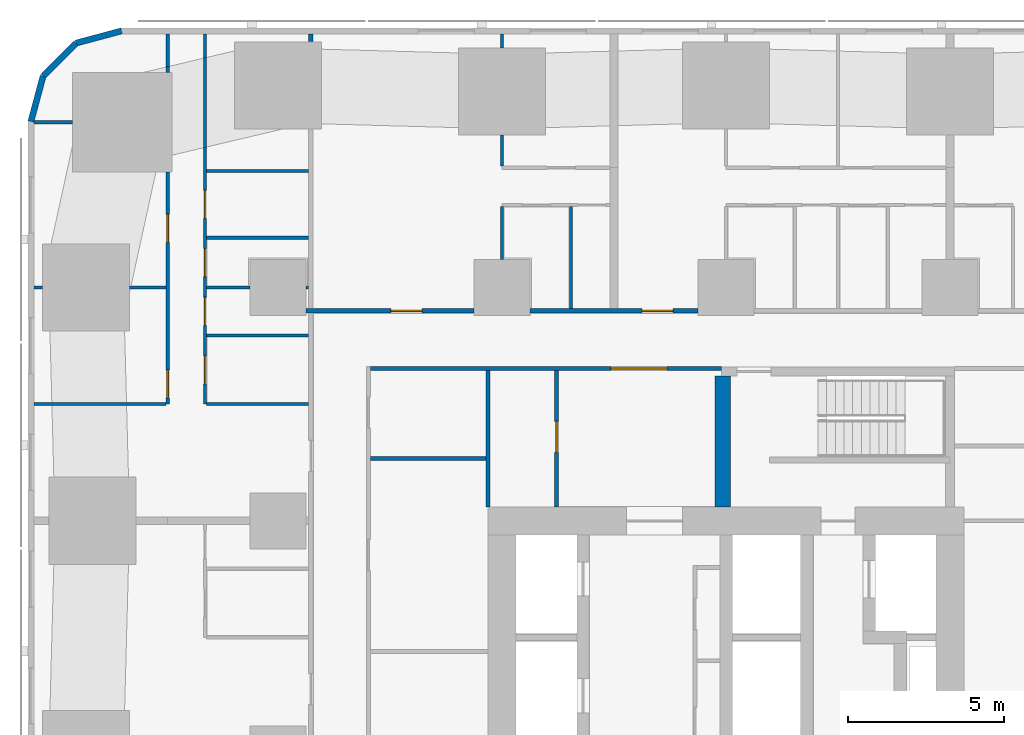
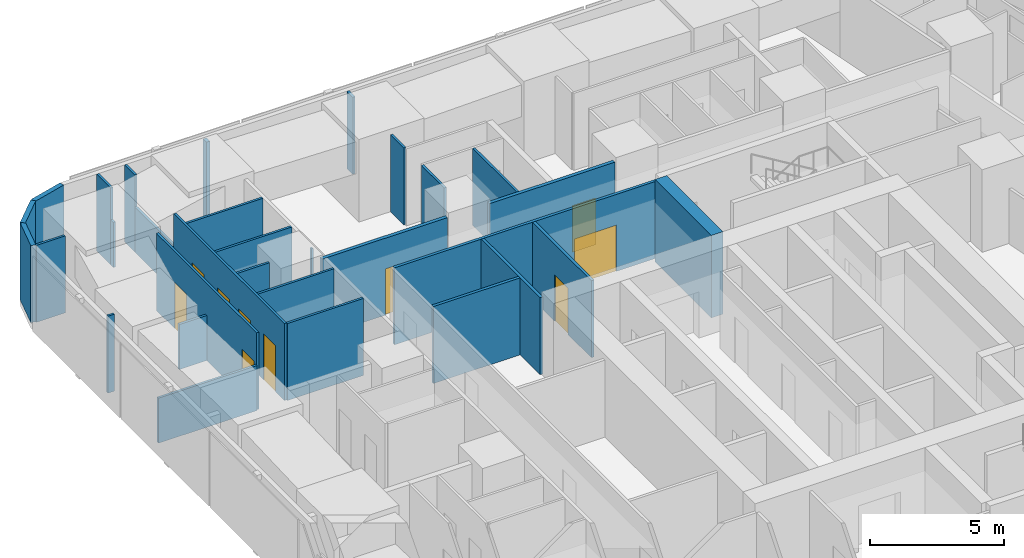
# One storey, part 9 of 16: 31 walls, 10 doors, 10 openings.
"""IFC4 building model written with IfcOpenShell, lengths in metres."""

from ifc_helpers import new_model, si_unit, direction, frame, frame_2d, origin, place, context, subcontext, project, spatial, rectangle, extrude, material, layer, layer_set, type_object, element, fill, save


model = new_model("IFC4")

# Units and contexts
model_context = context("Model", 3, precision=1e-05, world=origin(), true_north=direction((0.0, 1.0)))
body_context = subcontext(model_context, "Body", "Model", "MODEL_VIEW")
ifc_project = project(units=[si_unit("LENGTHUNIT", "METRE"), si_unit("AREAUNIT", "SQUARE_METRE"), si_unit("VOLUMEUNIT", "CUBIC_METRE"), si_unit("PLANEANGLEUNIT", "RADIAN"), si_unit("MASSUNIT", "GRAM", prefix="KILO")], contexts=[model_context])

# Site, building, storey
site_placement = place(None, origin())
site = spatial("IfcSite", under=ifc_project, at=site_placement, CompositionType="ELEMENT")
building_placement = place(site_placement, origin())
building = spatial("IfcBuilding", under=site, at=building_placement, Name="Sheger Commons Tower", CompositionType="ELEMENT")
storey_placement = place(building_placement, frame((0.0, 0.0, 57.5)))
storey = spatial("IfcBuildingStorey", under=building, at=storey_placement, Name="L14", CompositionType="ELEMENT", Elevation=57.5)

# Wall
ifc_material_1 = material(Name="Hollow concrete block masonry, skimmed both sides", Category="masonry")
ifc_layer_1 = layer(ifc_material_1, 0.14990234375)
ifc_layer_set_1 = layer_set([ifc_layer_1], Name="CORRIDOR WALL 150")
wall_type_1 = type_object("IfcWallType", Name="CORRIDOR WALL 150", PredefinedType="SOLIDWALL", material=ifc_layer_set_1)
wall_1_placement = place(storey_placement, frame((8.25, 45.40087890625, 0.0), z_axis=(0.0, 0.0, 1.0), x_axis=(0.0, 1.0, 0.0)))
element("IfcWall", 1, at=wall_1_placement, inside=storey, type_object=wall_type_1, Name="Corridor wall L14", PredefinedType="SOLIDWALL", context=body_context, shape_type="SweptSolid", body=[
    extrude(rectangle(XDim=0.2490234375, YDim=0.14990234375, at=frame_2d((0.12451171875, 0.0))), origin(), (0.0, 0.0, 1.0), 3.5),
])

# Wall, opening, door
wall_2_placement = place(storey_placement, frame((8.10009765625, 36.75, 0.0), z_axis=(0.0, 0.0, 1.0), x_axis=(1.0, 0.0, 0.0)))
wall_2 = element("IfcWall", 2, at=wall_2_placement, inside=storey, type_object=wall_type_1, Name="Corridor wall L14", PredefinedType="SOLIDWALL", context=body_context, shape_type="SweptSolid", body=[
    extrude(rectangle(XDim=5.39892578125, YDim=0.14990234375, at=frame_2d((2.699462890625, 0.0))), origin(), (0.0, 0.0, 1.0), 3.5),
])
opening_1_placement = place(wall_2_placement, frame((2.72509765625, 0.0, 0.0)))
opening_1 = element("IfcOpeningElement", 3, at=opening_1_placement, cuts=wall_2, Name="Opening D1", PredefinedType="OPENING", context=body_context, shape_type="SweptSolid", body=[
    extrude(rectangle(XDim=1.0, YDim=2.10009765625, at=frame_2d((0.5, 1.050048828125))), frame((0.0, 0.0849609375, 0.0), z_axis=(0.0, -1.0, 0.0), x_axis=(1.0, 0.0, 0.0)), (0.0, 0.0, 1.0), 0.169921875),
])
ifc_material_2 = material(Name="Steel door set, fire rated", Category="steel")
door_type_1 = type_object("IfcDoorType", Name="FLAT ENTRANCE DOOR 1000x2100", OperationType="NOTDEFINED", PredefinedType="DOOR", material=ifc_material_2)
door_1_placement = place(opening_1_placement, origin())
door_1 = element("IfcDoor", 4, at=door_1_placement, inside=storey, type_object=door_type_1, Name="Flat entrance door", OperationType="SINGLE_SWING_LEFT", OverallHeight=2.10009765625, OverallWidth=1.0, PredefinedType="DOOR", context=body_context, shape_type="SweptSolid", body=[
    extrude(rectangle(XDim=1.0, YDim=2.10009765625, at=frame_2d((0.5, 1.050048828125))), frame((0.0, 0.02490234375, 0.0), z_axis=(0.0, -1.0, 0.0), x_axis=(1.0, 0.0, 0.0)), (0.0, 0.0, 1.0), 0.050048828125),
])
fill(opening_1, door_1)

wall_3_placement = place(storey_placement, frame((15.301025390625, 36.75, 0.0), z_axis=(0.0, 0.0, 1.0), x_axis=(1.0, 0.0, 0.0)))
wall_3 = element("IfcWall", 5, at=wall_3_placement, inside=storey, type_object=wall_type_1, Name="Corridor wall L14", PredefinedType="SOLIDWALL", context=body_context, shape_type="SweptSolid", body=[
    extrude(rectangle(XDim=5.39794921875, YDim=0.14990234375, at=frame_2d((2.698974609375, 0.0))), origin(), (0.0, 0.0, 1.0), 3.5),
])
opening_2_placement = place(wall_3_placement, frame((3.59912109375, 0.0, 0.0)))
opening_2 = element("IfcOpeningElement", 6, at=opening_2_placement, cuts=wall_3, Name="Opening D1", PredefinedType="OPENING", context=body_context, shape_type="SweptSolid", body=[
    extrude(rectangle(XDim=1.0, YDim=2.10009765625, at=frame_2d((0.5, 1.050048828125))), frame((0.0, 0.0849609375, 0.0), z_axis=(0.0, -1.0, 0.0), x_axis=(1.0, 0.0, 0.0)), (0.0, 0.0, 1.0), 0.169921875),
])
door_2_placement = place(opening_2_placement, origin())
door_2 = element("IfcDoor", 7, at=door_2_placement, inside=storey, type_object=door_type_1, Name="Flat entrance door", OperationType="SINGLE_SWING_RIGHT", OverallHeight=2.10009765625, OverallWidth=1.0, PredefinedType="DOOR", context=body_context, shape_type="SweptSolid", body=[
    extrude(rectangle(XDim=1.0, YDim=2.10009765625, at=frame_2d((0.5, 1.050048828125))), frame((0.0, 0.02490234375, 0.0), z_axis=(0.0, -1.0, 0.0), x_axis=(1.0, 0.0, 0.0)), (0.0, 0.0, 1.0), 0.050048828125),
])
fill(opening_2, door_2)

# Walls
ifc_material_3 = material(Name="Rendered concrete block masonry, dark grey", Category="masonry")
ifc_layer_2 = layer(ifc_material_3, 0.199951171875)
ifc_layer_set_2 = layer_set([ifc_layer_2], Name="FACADE WALL 200")
wall_type_2 = type_object("IfcWallType", Name="FACADE WALL 200", PredefinedType="SOLIDWALL", material=ifc_layer_set_2)
wall_4_placement = place(storey_placement, frame((2.1630859375, 45.75, 0.0), z_axis=(0.0, 0.0, 1.0), x_axis=(-0.965832000415, -0.259168954497, 0.0)))
element("IfcWall", 8, at=wall_4_placement, inside=storey, type_object=wall_type_2, Name="Facade wall L14", PredefinedType="SOLIDWALL", context=body_context, shape_type="SweptSolid", body=[
    extrude(rectangle(XDim=1.512939453125, YDim=0.199951171875, at=frame_2d((0.75634765625, 0.0))), origin(), (0.0, 0.0, 1.0), 3.5),
])
wall_5_placement = place(storey_placement, frame((0.701904296875, 45.35791015625, 0.0), z_axis=(0.0, 0.0, 1.0), x_axis=(-0.707106781187, -0.707106781187, 0.0)))
element("IfcWall", 9, at=wall_5_placement, inside=storey, type_object=wall_type_2, Name="Facade wall L14", PredefinedType="SOLIDWALL", context=body_context, shape_type="SweptSolid", body=[
    extrude(rectangle(XDim=1.498779296875, YDim=0.199951171875, at=frame_2d((0.74951171875, 0.0))), origin(), (0.0, 0.0, 1.0), 3.5),
])
wall_6_placement = place(storey_placement, frame((-0.35791015625, 44.298095703125, 0.0), z_axis=(0.0, 0.0, 1.0), x_axis=(-0.259168954497, -0.965832000415, 0.0)))
element("IfcWall", 10, at=wall_6_placement, inside=storey, type_object=wall_type_2, Name="Facade wall L14", PredefinedType="SOLIDWALL", context=body_context, shape_type="SweptSolid", body=[
    extrude(rectangle(XDim=1.512939453125, YDim=0.199951171875, at=frame_2d((0.75634765625, 0.0))), origin(), (0.0, 0.0, 1.0), 3.5),
])

# Wall, openings, doors
ifc_material_4 = material(Name="Gypsum board on steel studs", Category="steel")
ifc_layer_3 = layer(ifc_material_4, 0.10009765625)
ifc_layer_set_3 = layer_set([ifc_layer_3], Name="PARTITION 100")
wall_type_3 = type_object("IfcWallType", Name="PARTITION 100", PredefinedType="PARTITIONING", material=ifc_layer_set_3)
wall_7_placement = place(storey_placement, frame((3.64990234375, 33.75, 0.0), z_axis=(0.0, 0.0, 1.0), x_axis=(0.0, 1.0, 0.0)))
wall_7 = element("IfcWall", 11, at=wall_7_placement, inside=storey, type_object=wall_type_3, Name="Partition L14", PredefinedType="PARTITIONING", context=body_context, shape_type="SweptSolid", body=[
    extrude(rectangle(XDim=7.462890625, YDim=0.10009765625, at=frame_2d((3.7314453125, 0.0))), origin(), (0.0, 0.0, 1.0), 3.5),
])
opening_3_placement = place(wall_7_placement, frame((0.199951171875, 0.0, 0.0)))
opening_3 = element("IfcOpeningElement", 12, at=opening_3_placement, cuts=wall_7, Name="Opening D2", PredefinedType="OPENING", context=body_context, shape_type="SweptSolid", body=[
    extrude(rectangle(XDim=0.89990234375, YDim=2.10009765625, at=frame_2d((0.449951171875, 1.050048828125))), frame((0.0, 0.06005859375, 0.0), z_axis=(0.0, -1.0, 0.0), x_axis=(1.0, 0.0, 0.0)), (0.0, 0.0, 1.0), 0.1201171875),
])
opening_4_placement = place(wall_7_placement, frame((5.199951171875, 0.0, 0.0)))
opening_4 = element("IfcOpeningElement", 13, at=opening_4_placement, cuts=wall_7, Name="Opening D2", PredefinedType="OPENING", context=body_context, shape_type="SweptSolid", body=[
    extrude(rectangle(XDim=0.89990234375, YDim=2.10009765625, at=frame_2d((0.449951171875, 1.050048828125))), frame((0.0, 0.06005859375, 0.0), z_axis=(0.0, -1.0, 0.0), x_axis=(1.0, 0.0, 0.0)), (0.0, 0.0, 1.0), 0.1201171875),
])
ifc_material_5 = material(Name="Timber door set", Category="wood")
door_type_2 = type_object("IfcDoorType", Name="INTERNAL DOOR 900x2100", OperationType="NOTDEFINED", PredefinedType="DOOR", material=ifc_material_5)
door_3_placement = place(opening_3_placement, origin())
door_3 = element("IfcDoor", 14, at=door_3_placement, inside=storey, type_object=door_type_2, Name="Main bedroom door", OperationType="SINGLE_SWING_LEFT", OverallHeight=2.10009765625, OverallWidth=0.89990234375, PredefinedType="DOOR", context=body_context, shape_type="SweptSolid", body=[
    extrude(rectangle(XDim=0.89990234375, YDim=2.10009765625, at=frame_2d((0.449951171875, 1.050048828125))), frame((0.0, 0.02490234375, 0.0), z_axis=(0.0, -1.0, 0.0), x_axis=(1.0, 0.0, 0.0)), (0.0, 0.0, 1.0), 0.050048828125),
])
fill(opening_3, door_3)
door_4_placement = place(opening_4_placement, origin())
door_4 = element("IfcDoor", 15, at=door_4_placement, inside=storey, type_object=door_type_2, Name="Bedroom 2 door", OperationType="SINGLE_SWING_RIGHT", OverallHeight=2.10009765625, OverallWidth=0.89990234375, PredefinedType="DOOR", context=body_context, shape_type="SweptSolid", body=[
    extrude(rectangle(XDim=0.89990234375, YDim=2.10009765625, at=frame_2d((0.449951171875, 1.050048828125))), frame((0.0, 0.02490234375, 0.0), z_axis=(0.0, -1.0, 0.0), x_axis=(1.0, 0.0, 0.0)), (0.0, 0.0, 1.0), 0.050048828125),
])
fill(opening_4, door_4)

# Walls
wall_8_placement = place(storey_placement, frame((3.64990234375, 44.4150390625, 0.0), z_axis=(0.0, 0.0, 1.0), x_axis=(0.0, 1.0, 0.0)))
element("IfcWall", 16, at=wall_8_placement, inside=storey, type_object=wall_type_3, Name="Partition L14", PredefinedType="PARTITIONING", context=body_context, shape_type="SweptSolid", body=[
    extrude(rectangle(XDim=0.196044921875, YDim=0.10009765625, at=frame_2d((0.09814453125, 0.0))), origin(), (0.0, 0.0, 1.0), 2.050048828125),
])
wall_9_placement = place(storey_placement, frame((3.64990234375, 44.611083984375, 0.0), z_axis=(0.0, 0.0, 1.0), x_axis=(0.0, 1.0, 0.0)))
element("IfcWall", 17, at=wall_9_placement, inside=storey, type_object=wall_type_3, Name="Partition L14", PredefinedType="PARTITIONING", context=body_context, shape_type="SweptSolid", body=[
    extrude(rectangle(XDim=1.038818359375, YDim=0.10009765625, at=frame_2d((0.51953125, 0.0))), origin(), (0.0, 0.0, 1.0), 3.5),
])

# Wall, openings, doors
wall_10_placement = place(storey_placement, frame((4.85009765625, 33.75, 0.0), z_axis=(0.0, 0.0, 1.0), x_axis=(0.0, 1.0, 0.0)))
wall_10 = element("IfcWall", 18, at=wall_10_placement, inside=storey, type_object=wall_type_3, Name="Partition L14", PredefinedType="PARTITIONING", context=body_context, shape_type="SweptSolid", body=[
    extrude(rectangle(XDim=8.243896484375, YDim=0.10009765625, at=frame_2d((4.1220703125, 0.0))), origin(), (0.0, 0.0, 1.0), 3.5),
])
opening_5_placement = place(wall_10_placement, frame((0.655029296875, 0.0, 0.0)))
opening_5 = element("IfcOpeningElement", 19, at=opening_5_placement, cuts=wall_10, Name="Opening D2", PredefinedType="OPENING", context=body_context, shape_type="SweptSolid", body=[
    extrude(rectangle(XDim=0.89990234375, YDim=2.10009765625, at=frame_2d((0.449951171875, 1.050048828125))), frame((0.0, 0.06005859375, 0.0), z_axis=(0.0, -1.0, 0.0), x_axis=(1.0, 0.0, 0.0)), (0.0, 0.0, 1.0), 0.1201171875),
])
opening_6_placement = place(wall_10_placement, frame((4.10009765625, 0.0, 0.0)))
opening_6 = element("IfcOpeningElement", 20, at=opening_6_placement, cuts=wall_10, Name="Opening D2", PredefinedType="OPENING", context=body_context, shape_type="SweptSolid", body=[
    extrude(rectangle(XDim=0.89990234375, YDim=2.10009765625, at=frame_2d((0.449951171875, 1.050048828125))), frame((0.0, 0.06005859375, 0.0), z_axis=(0.0, -1.0, 0.0), x_axis=(1.0, 0.0, 0.0)), (0.0, 0.0, 1.0), 0.1201171875),
])
opening_7_placement = place(wall_10_placement, frame((2.530029296875, 0.0, 0.0)))
opening_7 = element("IfcOpeningElement", 21, at=opening_7_placement, cuts=wall_10, Name="Opening D2", PredefinedType="OPENING", context=body_context, shape_type="SweptSolid", body=[
    extrude(rectangle(XDim=0.89990234375, YDim=2.10009765625, at=frame_2d((0.449951171875, 1.050048828125))), frame((0.0, 0.06005859375, 0.0), z_axis=(0.0, -1.0, 0.0), x_axis=(1.0, 0.0, 0.0)), (0.0, 0.0, 1.0), 0.1201171875),
])
opening_8_placement = place(wall_10_placement, frame((5.97509765625, 0.0, 0.0)))
opening_8 = element("IfcOpeningElement", 22, at=opening_8_placement, cuts=wall_10, Name="Opening D2", PredefinedType="OPENING", context=body_context, shape_type="SweptSolid", body=[
    extrude(rectangle(XDim=0.89990234375, YDim=2.10009765625, at=frame_2d((0.449951171875, 1.050048828125))), frame((0.0, 0.06005859375, 0.0), z_axis=(0.0, -1.0, 0.0), x_axis=(1.0, 0.0, 0.0)), (0.0, 0.0, 1.0), 0.1201171875),
])
door_5_placement = place(opening_5_placement, origin())
door_5 = element("IfcDoor", 23, at=door_5_placement, inside=storey, type_object=door_type_2, Name="Bathroom door", OperationType="SINGLE_SWING_RIGHT", OverallHeight=2.10009765625, OverallWidth=0.89990234375, PredefinedType="DOOR", context=body_context, shape_type="SweptSolid", body=[
    extrude(rectangle(XDim=0.89990234375, YDim=2.10009765625, at=frame_2d((0.449951171875, 1.050048828125))), frame((0.0, 0.02490234375, 0.0), z_axis=(0.0, -1.0, 0.0), x_axis=(1.0, 0.0, 0.0)), (0.0, 0.0, 1.0), 0.050048828125),
])
fill(opening_5, door_5)
door_6_placement = place(opening_6_placement, origin())
door_6 = element("IfcDoor", 24, at=door_6_placement, inside=storey, type_object=door_type_2, Name="Shower room door", OperationType="SINGLE_SWING_RIGHT", OverallHeight=2.10009765625, OverallWidth=0.89990234375, PredefinedType="DOOR", context=body_context, shape_type="SweptSolid", body=[
    extrude(rectangle(XDim=0.89990234375, YDim=2.10009765625, at=frame_2d((0.449951171875, 1.050048828125))), frame((0.0, 0.02490234375, 0.0), z_axis=(0.0, -1.0, 0.0), x_axis=(1.0, 0.0, 0.0)), (0.0, 0.0, 1.0), 0.050048828125),
])
fill(opening_6, door_6)
door_7_placement = place(opening_7_placement, origin())
door_7 = element("IfcDoor", 25, at=door_7_placement, inside=storey, type_object=door_type_2, Name="Store door", OperationType="SINGLE_SWING_RIGHT", OverallHeight=2.10009765625, OverallWidth=0.89990234375, PredefinedType="DOOR", context=body_context, shape_type="SweptSolid", body=[
    extrude(rectangle(XDim=0.89990234375, YDim=2.10009765625, at=frame_2d((0.449951171875, 1.050048828125))), frame((0.0, 0.02490234375, 0.0), z_axis=(0.0, -1.0, 0.0), x_axis=(1.0, 0.0, 0.0)), (0.0, 0.0, 1.0), 0.050048828125),
])
fill(opening_7, door_7)
door_8_placement = place(opening_8_placement, origin())
door_8 = element("IfcDoor", 26, at=door_8_placement, inside=storey, type_object=door_type_2, Name="Store door", OperationType="SINGLE_SWING_LEFT", OverallHeight=2.10009765625, OverallWidth=0.89990234375, PredefinedType="DOOR", context=body_context, shape_type="SweptSolid", body=[
    extrude(rectangle(XDim=0.89990234375, YDim=2.10009765625, at=frame_2d((0.449951171875, 1.050048828125))), frame((0.0, 0.02490234375, 0.0), z_axis=(0.0, -1.0, 0.0), x_axis=(1.0, 0.0, 0.0)), (0.0, 0.0, 1.0), 0.050048828125),
])
fill(opening_8, door_8)

# Walls
wall_11_placement = place(storey_placement, frame((4.85009765625, 41.993896484375, 0.0), z_axis=(0.0, 0.0, 1.0), x_axis=(0.0, 1.0, 0.0)))
element("IfcWall", 27, at=wall_11_placement, inside=storey, type_object=wall_type_3, Name="Partition L14", PredefinedType="PARTITIONING", context=body_context, shape_type="SweptSolid", body=[
    extrude(rectangle(XDim=2.901123046875, YDim=0.10009765625, at=frame_2d((1.45068359375, 0.0))), origin(), (0.0, 0.0, 1.0), 2.050048828125),
])
wall_12_placement = place(storey_placement, frame((4.85009765625, 44.89501953125, 0.0), z_axis=(0.0, 0.0, 1.0), x_axis=(0.0, 1.0, 0.0)))
element("IfcWall", 28, at=wall_12_placement, inside=storey, type_object=wall_type_3, Name="Partition L14", PredefinedType="PARTITIONING", context=body_context, shape_type="SweptSolid", body=[
    extrude(rectangle(XDim=0.7548828125, YDim=0.10009765625, at=frame_2d((0.37744140625, 0.0))), origin(), (0.0, 0.0, 1.0), 3.5),
])
wall_13_placement = place(storey_placement, frame((-0.64990234375, 33.75, 0.0), z_axis=(0.0, 0.0, 1.0), x_axis=(1.0, 0.0, 0.0)))
element("IfcWall", 29, at=wall_13_placement, inside=storey, type_object=wall_type_3, Name="Partition L14", PredefinedType="PARTITIONING", context=body_context, shape_type="SweptSolid", body=[
    extrude(rectangle(XDim=4.25, YDim=0.10009765625, at=frame_2d((2.125, 0.0))), origin(), (0.0, 0.0, 1.0), 2.050048828125),
])
wall_14_placement = place(storey_placement, frame((-0.64990234375, 37.5, 0.0), z_axis=(0.0, 0.0, 1.0), x_axis=(1.0, 0.0, 0.0)))
element("IfcWall", 30, at=wall_14_placement, inside=storey, type_object=wall_type_3, Name="Partition L14", PredefinedType="PARTITIONING", context=body_context, shape_type="SweptSolid", body=[
    extrude(rectangle(XDim=0.27392578125, YDim=0.10009765625, at=frame_2d((0.136962890625, 0.0))), origin(), (0.0, 0.0, 1.0), 3.5),
])
wall_15_placement = place(storey_placement, frame((2.426025390625, 37.5, 0.0), z_axis=(0.0, 0.0, 1.0), x_axis=(1.0, 0.0, 0.0)))
element("IfcWall", 31, at=wall_15_placement, inside=storey, type_object=wall_type_3, Name="Partition L14", PredefinedType="PARTITIONING", context=body_context, shape_type="SweptSolid", body=[
    extrude(rectangle(XDim=1.174072265625, YDim=0.10009765625, at=frame_2d((0.5869140625, 0.0))), origin(), (0.0, 0.0, 1.0), 2.050048828125),
])
wall_16_placement = place(storey_placement, frame((-0.64990234375, 42.81396484375, 0.0), z_axis=(0.0, 0.0, 1.0), x_axis=(1.0, 0.0, 0.0)))
element("IfcWall", 32, at=wall_16_placement, inside=storey, type_object=wall_type_3, Name="Partition L14", PredefinedType="PARTITIONING", context=body_context, shape_type="SweptSolid", body=[
    extrude(rectangle(XDim=1.23486328125, YDim=0.10009765625, at=frame_2d((0.617431640625, 0.0))), origin(), (0.0, 0.0, 1.0), 3.5),
])
wall_17_placement = place(storey_placement, frame((4.89990234375, 33.75, 0.0), z_axis=(0.0, 0.0, 1.0), x_axis=(1.0, 0.0, 0.0)))
element("IfcWall", 33, at=wall_17_placement, inside=storey, type_object=wall_type_3, Name="Partition L14", PredefinedType="PARTITIONING", context=body_context, shape_type="SweptSolid", body=[
    extrude(rectangle(XDim=3.275146484375, YDim=0.10009765625, at=frame_2d((1.6376953125, 0.0))), origin(), (0.0, 0.0, 1.0), 3.5),
])
wall_18_placement = place(storey_placement, frame((4.89990234375, 37.5, 0.0), z_axis=(0.0, 0.0, 1.0), x_axis=(1.0, 0.0, 0.0)))
element("IfcWall", 34, at=wall_18_placement, inside=storey, type_object=wall_type_3, Name="Partition L14", PredefinedType="PARTITIONING", context=body_context, shape_type="SweptSolid", body=[
    extrude(rectangle(XDim=1.399169921875, YDim=0.10009765625, at=frame_2d((0.69970703125, 0.0))), origin(), (0.0, 0.0, 1.0), 3.5),
])
wall_19_placement = place(storey_placement, frame((8.10107421875, 37.5, 0.0), z_axis=(0.0, 0.0, 1.0), x_axis=(1.0, 0.0, 0.0)))
element("IfcWall", 35, at=wall_19_placement, inside=storey, type_object=wall_type_3, Name="Partition L14", PredefinedType="PARTITIONING", context=body_context, shape_type="SweptSolid", body=[
    extrude(rectangle(XDim=0.073974609375, YDim=0.10009765625, at=frame_2d((0.037109375, 0.0))), origin(), (0.0, 0.0, 1.0), 3.5),
])
for number, where, z_axis, x_axis, name in (
    (36, (4.89990234375, 41.25, 0.0), (0.0, 0.0, 1.0), (1.0, 0.0, 0.0), "Partition L14"),
    (37, (4.89990234375, 35.9599609375, 0.0), (0.0, 0.0, 1.0), (1.0, 0.0, 0.0), "Partition L14"),
    (38, (4.89990234375, 39.10009765625, 0.0), (0.0, 0.0, 1.0), (1.0, 0.0, 0.0), "Partition L14"),
):
    element("IfcWall", number, at=place(storey_placement, frame(where, z_axis=z_axis, x_axis=x_axis)), inside=storey, type_object=wall_type_3, Name=name, PredefinedType="PARTITIONING", context=body_context, shape_type="SweptSolid", body=[
        extrude(rectangle(XDim=3.275146484375, YDim=0.10009765625, at=frame_2d((1.6376953125, 0.0))), origin(), (0.0, 0.0, 1.0), 3.5),
    ])
wall_20_placement = place(storey_placement, frame((14.39990234375, 41.39990234375, 0.0), z_axis=(0.0, 0.0, 1.0), x_axis=(0.0, 1.0, 0.0)))
element("IfcWall", 39, at=wall_20_placement, inside=storey, type_object=wall_type_3, Name="Partition L14", PredefinedType="PARTITIONING", context=body_context, shape_type="SweptSolid", body=[
    extrude(rectangle(XDim=0.9990234375, YDim=0.10009765625, at=frame_2d((0.49951171875, 0.0))), origin(), (0.0, 0.0, 1.0), 3.5),
])
wall_21_placement = place(storey_placement, frame((14.39990234375, 45.200927734375, 0.0), z_axis=(0.0, 0.0, 1.0), x_axis=(0.0, 1.0, 0.0)))
element("IfcWall", 40, at=wall_21_placement, inside=storey, type_object=wall_type_3, Name="Partition L14", PredefinedType="PARTITIONING", context=body_context, shape_type="SweptSolid", body=[
    extrude(rectangle(XDim=0.448974609375, YDim=0.10009765625, at=frame_2d((0.224609375, 0.0))), origin(), (0.0, 0.0, 1.0), 3.5),
])
wall_22_placement = place(storey_placement, frame((14.39990234375, 38.40087890625, 0.0), z_axis=(0.0, 0.0, 1.0), x_axis=(0.0, 1.0, 0.0)))
element("IfcWall", 41, at=wall_22_placement, inside=storey, type_object=wall_type_3, Name="Partition L14", PredefinedType="PARTITIONING", context=body_context, shape_type="SweptSolid", body=[
    extrude(rectangle(XDim=1.69921875, YDim=0.10009765625, at=frame_2d((0.849609375, 0.0))), origin(), (0.0, 0.0, 1.0), 3.5),
])
wall_23_placement = place(storey_placement, frame((16.610107421875, 36.824951171875, 0.0), z_axis=(0.0, 0.0, 1.0), x_axis=(0.0, 1.0, 0.0)))
element("IfcWall", 42, at=wall_23_placement, inside=storey, type_object=wall_type_3, Name="Partition L14", PredefinedType="PARTITIONING", context=body_context, shape_type="SweptSolid", body=[
    extrude(rectangle(XDim=3.275146484375, YDim=0.10009765625, at=frame_2d((1.6376953125, 0.0))), origin(), (0.0, 0.0, 1.0), 3.5),
])
ifc_material_6 = material(Name="Gypsum board on steel studs, two layers each side, fire rated", Category="steel")
ifc_layer_4 = layer(ifc_material_6, 0.125)
ifc_layer_set_4 = layer_set([ifc_layer_4], Name="SERVICE WALL 125")
wall_type_4 = type_object("IfcWallType", Name="SERVICE WALL 125", PredefinedType="PARTITIONING", material=ifc_layer_set_4)
wall_24_placement = place(storey_placement, frame((10.1630859375, 32.0, 0.0), z_axis=(0.0, 0.0, 1.0), x_axis=(1.0, 0.0, 0.0)))
element("IfcWall", 43, at=wall_24_placement, inside=storey, type_object=wall_type_4, Name="Service room wall L14", PredefinedType="PARTITIONING", context=body_context, shape_type="SweptSolid", body=[
    extrude(rectangle(XDim=3.724853515625, YDim=0.125, at=frame_2d((1.8623046875, 0.0))), origin(), (0.0, 0.0, 1.0), 3.5),
])
wall_25_placement = place(storey_placement, frame((13.949951171875, 30.449951171875, 0.0), z_axis=(0.0, 0.0, 1.0), x_axis=(0.0, 1.0, 0.0)))
element("IfcWall", 44, at=wall_25_placement, inside=storey, type_object=wall_type_4, Name="Service room wall L14", PredefinedType="PARTITIONING", context=body_context, shape_type="SweptSolid", body=[
    extrude(rectangle(XDim=4.386962890625, YDim=0.125, at=frame_2d((2.193359375, 0.0))), origin(), (0.0, 0.0, 1.0), 3.5),
])

# Wall, opening, door
wall_26_placement = place(storey_placement, frame((10.1630859375, 34.89990234375, 0.0), z_axis=(0.0, 0.0, 1.0), x_axis=(1.0, 0.0, 0.0)))
wall_26 = element("IfcWall", 45, at=wall_26_placement, inside=storey, type_object=wall_type_4, Name="Service room wall L14", PredefinedType="PARTITIONING", context=body_context, shape_type="SweptSolid", body=[
    extrude(rectangle(XDim=11.286865234375, YDim=0.125, at=frame_2d((5.6435546875, 0.0))), origin(), (0.0, 0.0, 1.0), 3.5),
])
opening_9_placement = place(wall_26_placement, frame((7.737060546875, 0.0, 0.0)))
opening_9 = element("IfcOpeningElement", 46, at=opening_9_placement, cuts=wall_26, Name="Opening D6", PredefinedType="OPENING", context=body_context, shape_type="SweptSolid", body=[
    extrude(rectangle(XDim=1.800048828125, YDim=2.10009765625, at=frame_2d((0.89990234375, 1.050048828125))), frame((0.0, 0.072509765625, 0.0), z_axis=(0.0, -1.0, 0.0), x_axis=(1.0, 0.0, 0.0)), (0.0, 0.0, 1.0), 0.14501953125),
])
ifc_material_7 = material(Name="Steel door set, fire rated", Category="steel")
door_type_3 = type_object("IfcDoorType", Name="LOBBY DOUBLE DOOR 1800x2100", OperationType="DOUBLE_DOOR_SINGLE_SWING", PredefinedType="DOOR", material=ifc_material_7)
door_9_placement = place(opening_9_placement, origin())
door_9 = element("IfcDoor", 47, at=door_9_placement, inside=storey, type_object=door_type_3, Name="Lift lobby north door", OperationType="DOUBLE_DOOR_SINGLE_SWING", OverallHeight=2.10009765625, OverallWidth=1.800048828125, PredefinedType="DOOR", context=body_context, shape_type="SweptSolid", body=[
    extrude(rectangle(XDim=1.800048828125, YDim=2.10009765625, at=frame_2d((0.89990234375, 1.050048828125))), frame((0.0, 0.02490234375, 0.0), z_axis=(0.0, -1.0, 0.0), x_axis=(1.0, 0.0, 0.0)), (0.0, 0.0, 1.0), 0.050048828125),
])
fill(opening_9, door_9)

wall_27_placement = place(storey_placement, frame((16.14990234375, 30.449951171875, 0.0), z_axis=(0.0, 0.0, 1.0), x_axis=(0.0, 1.0, 0.0)))
wall_27 = element("IfcWall", 48, at=wall_27_placement, inside=storey, type_object=wall_type_4, Name="Service room wall L14", PredefinedType="PARTITIONING", context=body_context, shape_type="SweptSolid", body=[
    extrude(rectangle(XDim=4.386962890625, YDim=0.125, at=frame_2d((2.193359375, 0.0))), origin(), (0.0, 0.0, 1.0), 3.5),
])
opening_10_placement = place(wall_27_placement, frame((1.75, 0.0, 0.0)))
opening_10 = element("IfcOpeningElement", 49, at=opening_10_placement, cuts=wall_27, Name="Opening D4", PredefinedType="OPENING", context=body_context, shape_type="SweptSolid", body=[
    extrude(rectangle(XDim=1.0, YDim=2.10009765625, at=frame_2d((0.5, 1.050048828125))), frame((0.0, 0.072509765625, 0.0), z_axis=(0.0, -1.0, 0.0), x_axis=(1.0, 0.0, 0.0)), (0.0, 0.0, 1.0), 0.14501953125),
])
ifc_material_8 = material(Name="Steel door set, fire rated", Category="steel")
door_type_4 = type_object("IfcDoorType", Name="SERVICE DOOR 1000x2100", OperationType="NOTDEFINED", PredefinedType="DOOR", material=ifc_material_8)
door_10_placement = place(opening_10_placement, origin())
door_10 = element("IfcDoor", 50, at=door_10_placement, inside=storey, type_object=door_type_4, Name="Telecom room door", OperationType="SINGLE_SWING_RIGHT", OverallHeight=2.10009765625, OverallWidth=1.0, PredefinedType="DOOR", context=body_context, shape_type="SweptSolid", body=[
    extrude(rectangle(XDim=1.0, YDim=2.10009765625, at=frame_2d((0.5, 1.050048828125))), frame((0.0, 0.02490234375, 0.0), z_axis=(0.0, -1.0, 0.0), x_axis=(1.0, 0.0, 0.0)), (0.0, 0.0, 1.0), 0.050048828125),
])
fill(opening_10, door_10)

# Wall
ifc_material_9 = material(Name="Concrete C50/60", Category="concrete")
ifc_layer_5 = layer(ifc_material_9, 0.5)
ifc_layer_set_5 = layer_set([ifc_layer_5], Name="STAIR CORE WALL 500")
wall_type_5 = type_object("IfcWallType", Name="STAIR CORE WALL 500", PredefinedType="SHEAR", material=ifc_layer_set_5)
wall_28_placement = place(storey_placement, frame((21.5, 30.449951171875, 0.0), z_axis=(0.0, 0.0, 1.0), x_axis=(0.0, 1.0, 0.0)))
element("IfcWall", 51, at=wall_28_placement, inside=storey, type_object=wall_type_5, Name="STW-L14-S2W", PredefinedType="SHEAR", context=body_context, shape_type="SweptSolid", body=[
    extrude(rectangle(XDim=4.199951171875, YDim=0.5, at=frame_2d((2.10009765625, 0.0))), origin(), (0.0, 0.0, 1.0), 3.75),
])

save(model, "model.ifc")
